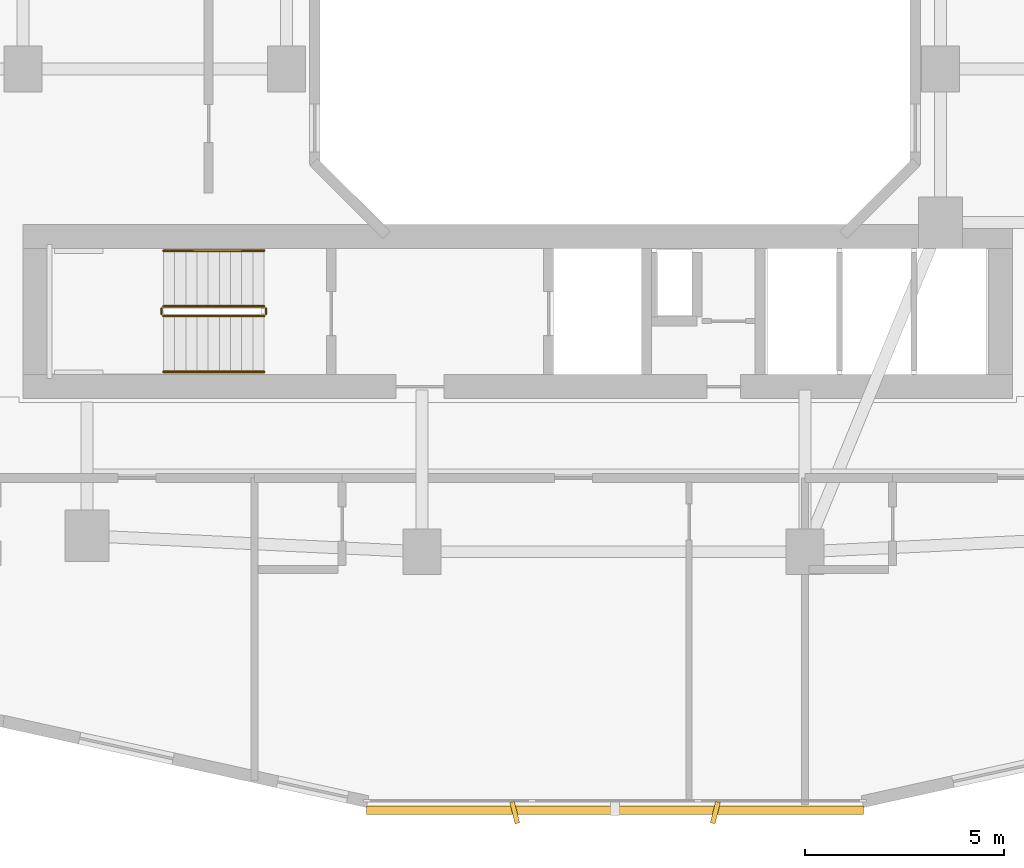
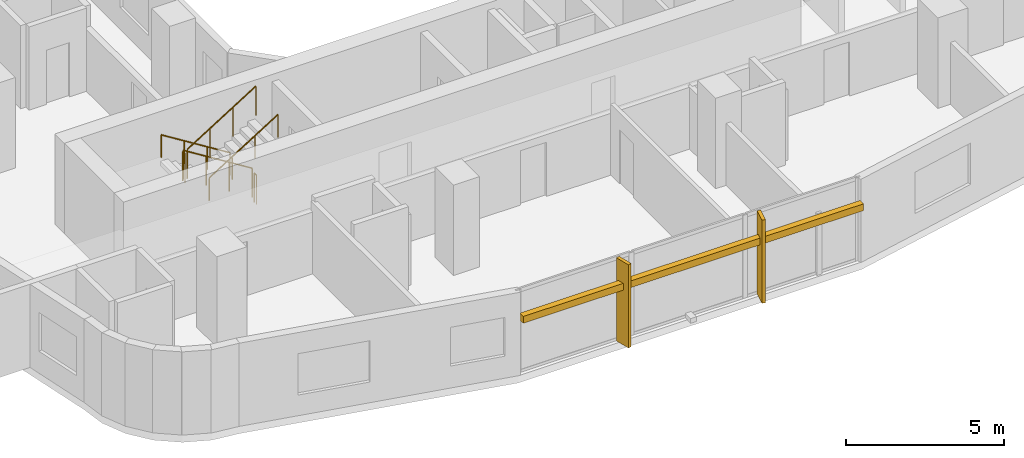
# One storey, part 23 of 27: 6 railings, 3 shading devices.
"""IFC4 building model written with IfcOpenShell, lengths in metres."""

from ifc_helpers import new_model, si_unit, derived_unit, direction, frame, origin, origin_2d, place, context, subcontext, project, spatial, rectangle, circle, extrude, material, type_object, element, save


model = new_model("IFC4")

# Units and contexts
model_context = context("Model", 3, precision=1e-05, world=origin(), true_north=direction((0.0, 1.0)))
body_context = subcontext(model_context, "Body", "Model", "MODEL_VIEW")
ifc_project = project(units=[si_unit("LENGTHUNIT", "METRE"), si_unit("AREAUNIT", "SQUARE_METRE"), si_unit("VOLUMEUNIT", "CUBIC_METRE"), si_unit("PLANEANGLEUNIT", "RADIAN"), si_unit("MASSUNIT", "GRAM", prefix="KILO"), derived_unit("THERMALTRANSMITTANCEUNIT", [(si_unit("POWERUNIT", "WATT"), 1), (si_unit("LENGTHUNIT", "METRE"), -2), (si_unit("THERMODYNAMICTEMPERATUREUNIT", "KELVIN"), -1)])], contexts=[model_context])

# Site, building, storey
site_placement = place(None, origin())
site = spatial("IfcSite", under=ifc_project, at=site_placement, CompositionType="ELEMENT")
building_placement = place(site_placement, origin())
building = spatial("IfcBuilding", under=site, at=building_placement, Name="Kivonza Crest Hotel", CompositionType="ELEMENT")
storey_placement = place(building_placement, frame((0.0, 0.0, 41.5)))
storey = spatial("IfcBuildingStorey", under=building, at=storey_placement, Name="L10", CompositionType="ELEMENT", Elevation=41.5)

# Railings
ifc_material_1 = material(Name="Brushed stainless steel handrail", Category="steel")
railing_type_1 = type_object("IfcRailingType", Name="RL-HAND-900", PredefinedType="HANDRAIL", material=ifc_material_1)
railing_1_placement = place(storey_placement, frame((12.239990234375, 16.949951171875, 0.175048828125)))
element("IfcRailing", 1, at=railing_1_placement, inside=storey, type_object=railing_type_1, Name="L10 ST-T1-S stair handrail 1", PredefinedType="HANDRAIL", context=body_context, shape_type="SweptSolid", body=[
    extrude(circle(Radius=0.02392578125, at=origin_2d()), frame((0.0, 0.0, 0.8759765625), z_axis=(-0.848007534815, 0.0, 0.529984170421), x_axis=(0.0, -1.0, 0.0)), (0.0, 0.0, 1.0), 2.9716796875),
    extrude(circle(Radius=0.02099609375, at=origin_2d()), origin(), (0.0, 0.0, 1.0), 0.851806640625),
    extrude(circle(Radius=0.02099609375, at=origin_2d()), frame((-0.840087890625, 0.0, 0.52490234375)), (0.0, 0.0, 1.0), 0.851806640625),
    extrude(circle(Radius=0.02099609375, at=origin_2d()), frame((-1.679931640625, 0.0, 1.050048828125)), (0.0, 0.0, 1.0), 0.851806640625),
    extrude(circle(Radius=0.02099609375, at=origin_2d()), frame((-2.52001953125, 0.0, 1.574951171875)), (0.0, 0.0, 1.0), 0.851806640625),
])
railing_2_placement = place(storey_placement, frame((9.719970703125, 13.909912109375, 1.925048828125)))
element("IfcRailing", 2, at=railing_2_placement, inside=storey, type_object=railing_type_1, Name="L10 ST-T1-S stair handrail 2", PredefinedType="HANDRAIL", context=body_context, shape_type="SweptSolid", body=[
    extrude(circle(Radius=0.02392578125, at=origin_2d()), frame((0.0, 0.0, 0.8759765625), z_axis=(0.848007534815, 0.0, 0.529984170421), x_axis=(0.0, 1.0, 0.0)), (0.0, 0.0, 1.0), 2.9716796875),
    extrude(circle(Radius=0.02099609375, at=origin_2d()), origin(), (0.0, 0.0, 1.0), 0.851806640625),
    extrude(circle(Radius=0.02099609375, at=origin_2d()), frame((0.840087890625, 0.0, 0.52490234375)), (0.0, 0.0, 1.0), 0.851806640625),
    extrude(circle(Radius=0.02099609375, at=origin_2d()), frame((1.679931640625, 0.0, 1.050048828125)), (0.0, 0.0, 1.0), 0.851806640625),
    extrude(circle(Radius=0.02099609375, at=origin_2d()), frame((2.52001953125, 0.0, 1.574951171875)), (0.0, 0.0, 1.0), 0.851806640625),
])
ifc_material_2 = material(Name="Painted steel balustrade", Category="steel")
railing_type_2 = type_object("IfcRailingType", Name="RL-STAIR-1150", PredefinedType="BALUSTRADE", material=ifc_material_2)
railing_3_placement = place(storey_placement, frame((12.239990234375, 15.550048828125, 0.175048828125)))
element("IfcRailing", 3, at=railing_3_placement, inside=storey, type_object=railing_type_2, Name="L10 ST-T1-S stair guard 1", PredefinedType="BALUSTRADE", context=body_context, shape_type="SweptSolid", body=[
    extrude(circle(Radius=0.02392578125, at=origin_2d()), frame((0.0, 0.0, 1.1259765625), z_axis=(-0.848007534815, 0.0, 0.529984170421), x_axis=(0.0, -1.0, 0.0)), (0.0, 0.0, 1.0), 2.9716796875),
    extrude(circle(Radius=0.02099609375, at=origin_2d()), origin(), (0.0, 0.0, 1.0), 1.101806640625),
    extrude(circle(Radius=0.02099609375, at=origin_2d()), frame((-0.840087890625, 0.0, 0.52490234375)), (0.0, 0.0, 1.0), 1.101806640625),
    extrude(circle(Radius=0.02099609375, at=origin_2d()), frame((-1.679931640625, 0.0, 1.050048828125)), (0.0, 0.0, 1.0), 1.101806640625),
    extrude(circle(Radius=0.02099609375, at=origin_2d()), frame((-2.52001953125, 0.0, 1.574951171875)), (0.0, 0.0, 1.0), 1.101806640625),
])
railing_4_placement = place(storey_placement, frame((9.669921875, 15.5, 1.75)))
element("IfcRailing", 4, at=railing_4_placement, inside=storey, type_object=railing_type_2, Name="L10 ST-T1-S stair guard 2", PredefinedType="BALUSTRADE", context=body_context, shape_type="SweptSolid", body=[
    extrude(circle(Radius=0.02392578125, at=origin_2d()), frame((0.0, 0.0, 1.1259765625), z_axis=(0.0, -1.0, 0.0), x_axis=(1.0, 0.0, 0.0)), (0.0, 0.0, 1.0), 0.139892578125),
    extrude(circle(Radius=0.02099609375, at=origin_2d()), origin(), (0.0, 0.0, 1.0), 1.101806640625),
    extrude(circle(Radius=0.02099609375, at=origin_2d()), frame((0.0, -0.139892578125, 0.0)), (0.0, 0.0, 1.0), 1.101806640625),
])
railing_5_placement = place(storey_placement, frame((9.719970703125, 15.31005859375, 1.925048828125)))
element("IfcRailing", 5, at=railing_5_placement, inside=storey, type_object=railing_type_2, Name="L10 ST-T1-S stair guard 3", PredefinedType="BALUSTRADE", context=body_context, shape_type="SweptSolid", body=[
    extrude(circle(Radius=0.02392578125, at=origin_2d()), frame((0.0, 0.0, 1.1259765625), z_axis=(0.848007534815, 0.0, 0.529984170421), x_axis=(0.0, 1.0, 0.0)), (0.0, 0.0, 1.0), 2.9716796875),
    extrude(circle(Radius=0.02099609375, at=origin_2d()), origin(), (0.0, 0.0, 1.0), 1.101806640625),
    extrude(circle(Radius=0.02099609375, at=origin_2d()), frame((0.840087890625, 0.0, 0.52490234375)), (0.0, 0.0, 1.0), 1.101806640625),
    extrude(circle(Radius=0.02099609375, at=origin_2d()), frame((1.679931640625, 0.0, 1.050048828125)), (0.0, 0.0, 1.0), 1.101806640625),
    extrude(circle(Radius=0.02099609375, at=origin_2d()), frame((2.52001953125, 0.0, 1.574951171875)), (0.0, 0.0, 1.0), 1.101806640625),
])
railing_6_placement = place(storey_placement, frame((12.2900390625, 15.5, 0.0)))
element("IfcRailing", 6, at=railing_6_placement, inside=storey, type_object=railing_type_2, Name="L10 ST-T1-S stair guard 4", PredefinedType="BALUSTRADE", context=body_context, shape_type="SweptSolid", body=[
    extrude(circle(Radius=0.02392578125, at=origin_2d()), frame((0.0, 0.0, 1.1259765625), z_axis=(0.0, -1.0, 0.0), x_axis=(1.0, 0.0, 0.0)), (0.0, 0.0, 1.0), 0.139892578125),
    extrude(circle(Radius=0.02099609375, at=origin_2d()), origin(), (0.0, 0.0, 1.0), 1.101806640625),
    extrude(circle(Radius=0.02099609375, at=origin_2d()), frame((0.0, -0.139892578125, 0.0)), (0.0, 0.0, 1.0), 1.101806640625),
])

# Shading devices
ifc_material_3 = material(Name="Kiln-fired Nairobi red-ochre terracotta", Category="masonry")
shading_device_type_1 = type_object("IfcShadingDeviceType", Name="SH-BAGUETTE-300", PredefinedType="USERDEFINED", material=ifc_material_3)
shading_device_placement = place(storey_placement, frame((21.0400390625, 2.919921875, 2.1240234375), z_axis=(0.0, 0.0, 1.0), x_axis=(1.0, 0.0, 0.0)))
element("IfcShadingDevice", 7, at=shading_device_placement, inside=storey, type_object=shading_device_type_1, Name="L10 terracotta baguette screen CW-T1-L10-08", ObjectType="BAGUETTE", PredefinedType="USERDEFINED", context=body_context, shape_type="SweptSolid", body=[
    extrude(rectangle(XDim=12.4560546875, YDim=0.219970703125, at=origin_2d()), origin(), (0.0, 0.0, 1.0), 0.260009765625),
])
ifc_material_4 = material(Name="Kiln-fired terracotta over extruded aluminium spine", Category="masonry")
shading_device_type_2 = type_object("IfcShadingDeviceType", Name="SH-FIN-550", PredefinedType="USERDEFINED", material=ifc_material_4)
for number, where, z_axis, x_axis, name in (
    (8, (18.52490234375, 2.860107421875, 0.0), (0.0, 0.0, 1.0), (0.970295726276, 0.2419218956, 0.0), "L10 vertical solar shading fin CW-T1-L10-08-1"),
    (9, (23.554931640625, 2.860107421875, 0.0), (0.0, 0.0, 1.0), (0.970295726276, -0.2419218956, 0.0), "L10 vertical solar shading fin CW-T1-L10-08-2"),
):
    element("IfcShadingDevice", number, at=place(storey_placement, frame(where, z_axis=z_axis, x_axis=x_axis)), inside=storey, type_object=shading_device_type_2, Name=name, ObjectType="FIN", PredefinedType="USERDEFINED", context=body_context, shape_type="SweptSolid", body=[
        extrude(rectangle(XDim=0.1201171875, YDim=0.550048828125, at=origin_2d()), origin(), (0.0, 0.0, 1.0), 3.219970703125),
    ])

save(model, "model.ifc")
